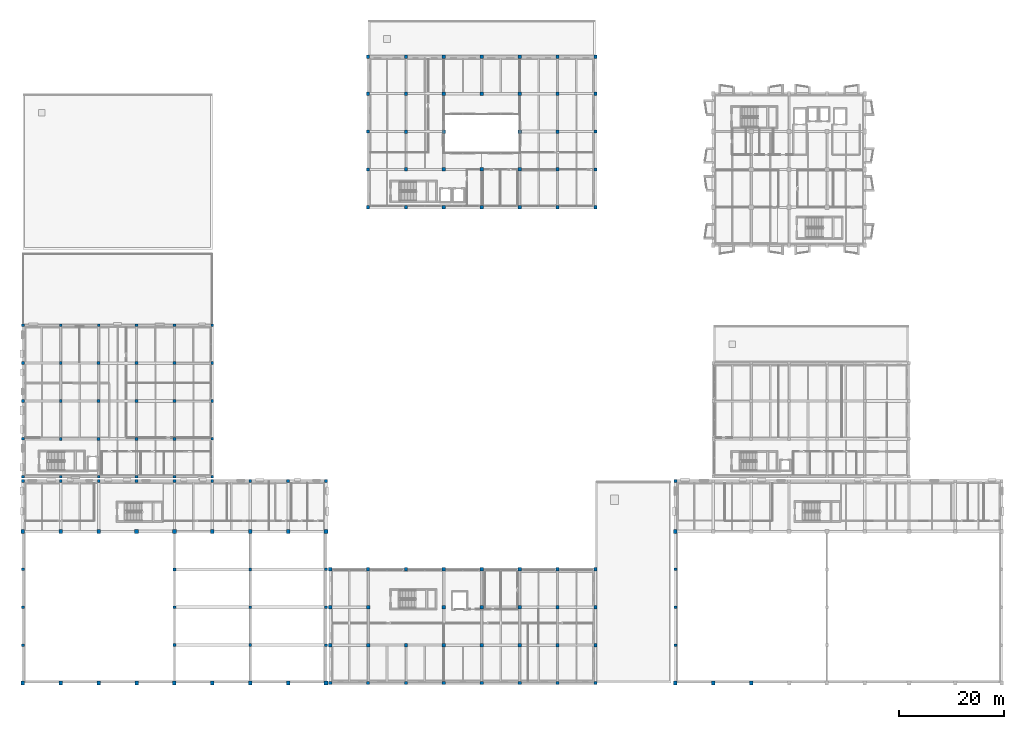
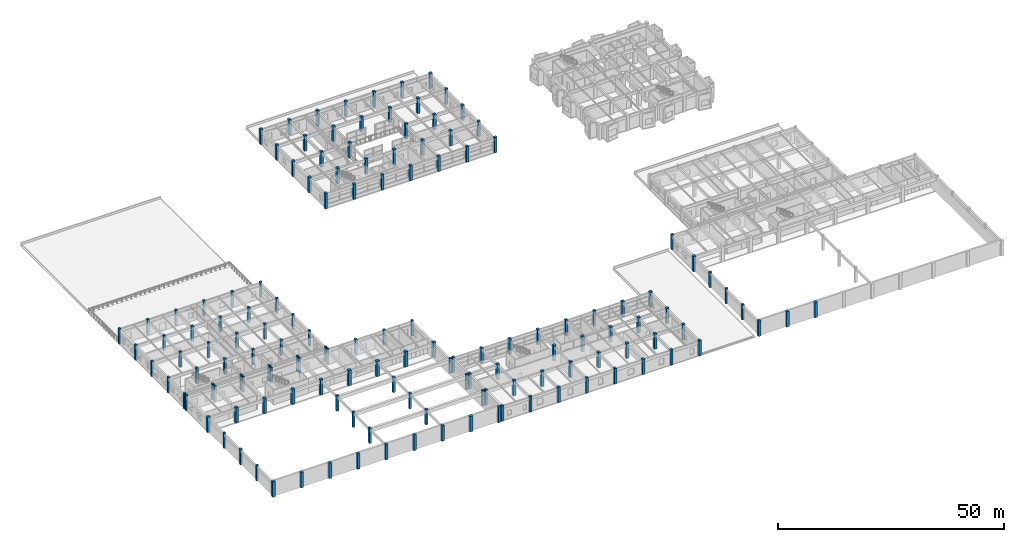
# One storey, part 1 of 67: 142 columns.
"""IFC4 building model written with IfcOpenShell, lengths in metres."""

from ifc_helpers import new_model, si_unit, direction, frame, origin, origin_2d, place, context, subcontext, project, spatial, rectangle, extrude, material, material_profile, profile_set, type_object, element, save


model = new_model("IFC4")

# Units and contexts
model_context = context("Model", 3, precision=1e-05, world=origin(), true_north=direction((0.0, 1.0)))
body_context = subcontext(model_context, "Body", "Model", "MODEL_VIEW")
ifc_project = project(units=[si_unit("LENGTHUNIT", "METRE"), si_unit("AREAUNIT", "SQUARE_METRE"), si_unit("VOLUMEUNIT", "CUBIC_METRE"), si_unit("PLANEANGLEUNIT", "RADIAN"), si_unit("MASSUNIT", "GRAM", prefix="KILO")], contexts=[model_context])

# Site, building, storey
site_placement = place(None, origin())
site = spatial("IfcSite", under=ifc_project, at=site_placement, CompositionType="ELEMENT")
building_placement = place(site_placement, origin())
building = spatial("IfcBuilding", under=site, at=building_placement, Name="Bramveld Media Centre", CompositionType="ELEMENT")
storey_placement = place(building_placement, frame((0.0, 0.0, 5.39990234375)))
storey = spatial("IfcBuildingStorey", under=building, at=storey_placement, Name="L01", CompositionType="ELEMENT", Elevation=5.39990234375)

# Columns
ifc_material_1 = material(Name="Concrete C40/50", Category="concrete")
ifc_material_profile_1 = material_profile(ifc_material_1, rectangle(XDim=0.52001953125, YDim=0.52001953125, at=origin_2d()), Name="RC 520x520")
ifc_profile_set_1 = profile_set([ifc_material_profile_1], Name="Concrete C40/50")
column_type_1 = type_object("IfcColumnType", Name="COL-EXT-RC-520x520", PredefinedType="COLUMN", material=ifc_profile_set_1)
for number, where, z_axis, x_axis, name in (
    (1, (124.0, 7.199951171875, 0.0), (0.0, 0.0, 1.0), (1.0, 0.0, 0.0), "V1 L01 column RC 520x520"),
    (2, (124.0, 14.39990234375, 0.0), (0.0, 0.0, 1.0), (1.0, 0.0, 0.0), "V1 L01 column RC 520x520"),
    (3, (124.0, 21.60009765625, 0.0), (0.0, 0.0, 1.0), (1.0, 0.0, 0.0), "V1 L01 column RC 520x520"),
    (4, (124.0, 38.39990234375, 0.0), (0.0, 0.0, 1.0), (1.0, 0.0, 0.0), "V1 L01 column RC 520x520"),
    (5, (0.0, 7.199951171875, 0.0), (0.0, 0.0, 1.0), (1.0, 0.0, 0.0), "V2 L01 column RC 520x520"),
    (6, (0.0, 14.39990234375, 0.0), (0.0, 0.0, 1.0), (1.0, 0.0, 0.0), "V2 L01 column RC 520x520"),
    (7, (0.0, 21.60009765625, 0.0), (0.0, 0.0, 1.0), (1.0, 0.0, 0.0), "V2 L01 column RC 520x520"),
    (8, (0.0, 38.39990234375, 0.0), (0.0, 0.0, 1.0), (1.0, 0.0, 0.0), "V2 L01 column RC 520x520"),
    (9, (7.199951171875, 38.39990234375, 0.0), (0.0, 0.0, 1.0), (1.0, 0.0, 0.0), "V2 L01 column RC 520x520"),
    (10, (14.39990234375, 38.39990234375, 0.0), (0.0, 0.0, 1.0), (1.0, 0.0, 0.0), "V2 L01 column RC 520x520"),
    (11, (21.60009765625, 38.39990234375, 0.0), (0.0, 0.0, 1.0), (1.0, 0.0, 0.0), "V2 L01 column RC 520x520"),
    (12, (28.800048828125, 38.39990234375, 0.0), (0.0, 0.0, 1.0), (1.0, 0.0, 0.0), "V2 L01 column RC 520x520"),
    (13, (36.0, 38.39990234375, 0.0), (0.0, 0.0, 1.0), (1.0, 0.0, 0.0), "V2 L01 column RC 520x520"),
    (14, (43.199951171875, 38.39990234375, 0.0), (0.0, 0.0, 1.0), (1.0, 0.0, 0.0), "V2 L01 column RC 520x520"),
    (15, (50.39990234375, 38.39990234375, 0.0), (0.0, 0.0, 1.0), (1.0, 0.0, 0.0), "V2 L01 column RC 520x520"),
    (16, (57.60009765625, 7.199951171875, 0.0), (0.0, 0.0, 1.0), (1.0, 0.0, 0.0), "V2 L01 column RC 520x520"),
    (17, (57.60009765625, 14.39990234375, 0.0), (0.0, 0.0, 1.0), (1.0, 0.0, 0.0), "V2 L01 column RC 520x520"),
    (18, (57.60009765625, 21.60009765625, 0.0), (0.0, 0.0, 1.0), (1.0, 0.0, 0.0), "V2 L01 column RC 520x520"),
    (19, (57.60009765625, 38.39990234375, 0.0), (0.0, 0.0, 1.0), (1.0, 0.0, 0.0), "V2 L01 column RC 520x520"),
    (20, (0.0, 39.199951171875, 0.0), (0.0, 0.0, 1.0), (1.0, 0.0, 0.0), "V3 L01 column RC 520x520"),
    (21, (0.0, 46.39990234375, 0.0), (0.0, 0.0, 1.0), (1.0, 0.0, 0.0), "V3 L01 column RC 520x520"),
    (22, (0.0, 53.60009765625, 0.0), (0.0, 0.0, 1.0), (1.0, 0.0, 0.0), "V3 L01 column RC 520x520"),
    (23, (0.0, 60.800048828125, 0.0), (0.0, 0.0, 1.0), (1.0, 0.0, 0.0), "V3 L01 column RC 520x520"),
    (24, (0.0, 68.0, 0.0), (0.0, 0.0, 1.0), (1.0, 0.0, 0.0), "V3 L01 column RC 520x520"),
    (25, (7.199951171875, 39.199951171875, 0.0), (0.0, 0.0, 1.0), (1.0, 0.0, 0.0), "V3 L01 column RC 520x520"),
    (26, (7.199951171875, 68.0, 0.0), (0.0, 0.0, 1.0), (1.0, 0.0, 0.0), "V3 L01 column RC 520x520"),
    (27, (14.39990234375, 39.199951171875, 0.0), (0.0, 0.0, 1.0), (1.0, 0.0, 0.0), "V3 L01 column RC 520x520"),
    (28, (14.39990234375, 68.0, 0.0), (0.0, 0.0, 1.0), (1.0, 0.0, 0.0), "V3 L01 column RC 520x520"),
    (29, (21.60009765625, 39.199951171875, 0.0), (0.0, 0.0, 1.0), (1.0, 0.0, 0.0), "V3 L01 column RC 520x520"),
    (30, (21.60009765625, 68.0, 0.0), (0.0, 0.0, 1.0), (1.0, 0.0, 0.0), "V3 L01 column RC 520x520"),
    (31, (28.800048828125, 39.199951171875, 0.0), (0.0, 0.0, 1.0), (1.0, 0.0, 0.0), "V3 L01 column RC 520x520"),
    (32, (28.800048828125, 68.0, 0.0), (0.0, 0.0, 1.0), (1.0, 0.0, 0.0), "V3 L01 column RC 520x520"),
    (33, (36.0, 39.199951171875, 0.0), (0.0, 0.0, 1.0), (1.0, 0.0, 0.0), "V3 L01 column RC 520x520"),
    (34, (36.0, 46.39990234375, 0.0), (0.0, 0.0, 1.0), (1.0, 0.0, 0.0), "V3 L01 column RC 520x520"),
    (35, (36.0, 53.60009765625, 0.0), (0.0, 0.0, 1.0), (1.0, 0.0, 0.0), "V3 L01 column RC 520x520"),
    (36, (36.0, 60.800048828125, 0.0), (0.0, 0.0, 1.0), (1.0, 0.0, 0.0), "V3 L01 column RC 520x520"),
    (37, (36.0, 68.0, 0.0), (0.0, 0.0, 1.0), (1.0, 0.0, 0.0), "V3 L01 column RC 520x520"),
):
    element("IfcColumn", number, at=place(storey_placement, frame(where, z_axis=z_axis, x_axis=x_axis)), inside=storey, type_object=column_type_1, Name=name, PredefinedType="COLUMN", context=body_context, shape_type="SweptSolid", body=[
        extrude(rectangle(XDim=0.52001953125, YDim=0.52001953125, at=origin_2d()), origin(), (0.0, 0.0, 1.0), 4.2001953125),
    ])
ifc_material_2 = material(Name="Concrete C40/50", Category="concrete")
ifc_material_profile_2 = material_profile(ifc_material_2, rectangle(XDim=0.6201171875, YDim=0.6201171875, at=origin_2d()), Name="RC 620x620")
ifc_profile_set_2 = profile_set([ifc_material_profile_2], Name="Concrete C40/50")
column_type_2 = type_object("IfcColumnType", Name="COL-EXT-RC-620x620", PredefinedType="COLUMN", material=ifc_profile_set_2)
for number, where, z_axis, x_axis, name in (
    (38, (58.39990234375, 0.0, 0.0), (0.0, 0.0, 1.0), (1.0, 0.0, 0.0), "V5 L01 column RC 620x620"),
    (39, (58.39990234375, 7.199951171875, 0.0), (0.0, 0.0, 1.0), (1.0, 0.0, 0.0), "V5 L01 column RC 620x620"),
    (40, (58.39990234375, 14.39990234375, 0.0), (0.0, 0.0, 1.0), (1.0, 0.0, 0.0), "V5 L01 column RC 620x620"),
    (41, (58.39990234375, 21.60009765625, 0.0), (0.0, 0.0, 1.0), (1.0, 0.0, 0.0), "V5 L01 column RC 620x620"),
    (42, (65.60009765625, 0.0, 0.0), (0.0, 0.0, 1.0), (1.0, 0.0, 0.0), "V5 L01 column RC 620x620"),
    (43, (65.60009765625, 21.60009765625, 0.0), (0.0, 0.0, 1.0), (1.0, 0.0, 0.0), "V5 L01 column RC 620x620"),
    (44, (72.800048828125, 0.0, 0.0), (0.0, 0.0, 1.0), (1.0, 0.0, 0.0), "V5 L01 column RC 620x620"),
    (45, (72.800048828125, 21.60009765625, 0.0), (0.0, 0.0, 1.0), (1.0, 0.0, 0.0), "V5 L01 column RC 620x620"),
    (46, (80.0, 0.0, 0.0), (0.0, 0.0, 1.0), (1.0, 0.0, 0.0), "V5 L01 column RC 620x620"),
    (47, (80.0, 21.60009765625, 0.0), (0.0, 0.0, 1.0), (1.0, 0.0, 0.0), "V5 L01 column RC 620x620"),
    (48, (87.199951171875, 0.0, 0.0), (0.0, 0.0, 1.0), (1.0, 0.0, 0.0), "V5 L01 column RC 620x620"),
    (49, (87.199951171875, 21.60009765625, 0.0), (0.0, 0.0, 1.0), (1.0, 0.0, 0.0), "V5 L01 column RC 620x620"),
    (50, (94.39990234375, 0.0, 0.0), (0.0, 0.0, 1.0), (1.0, 0.0, 0.0), "V5 L01 column RC 620x620"),
    (51, (94.39990234375, 21.60009765625, 0.0), (0.0, 0.0, 1.0), (1.0, 0.0, 0.0), "V5 L01 column RC 620x620"),
    (52, (101.60009765625, 0.0, 0.0), (0.0, 0.0, 1.0), (1.0, 0.0, 0.0), "V5 L01 column RC 620x620"),
    (53, (101.60009765625, 21.60009765625, 0.0), (0.0, 0.0, 1.0), (1.0, 0.0, 0.0), "V5 L01 column RC 620x620"),
    (54, (108.800048828125, 0.0, 0.0), (0.0, 0.0, 1.0), (1.0, 0.0, 0.0), "V5 L01 column RC 620x620"),
    (55, (108.800048828125, 7.199951171875, 0.0), (0.0, 0.0, 1.0), (1.0, 0.0, 0.0), "V5 L01 column RC 620x620"),
    (56, (108.800048828125, 14.39990234375, 0.0), (0.0, 0.0, 1.0), (1.0, 0.0, 0.0), "V5 L01 column RC 620x620"),
    (57, (108.800048828125, 21.60009765625, 0.0), (0.0, 0.0, 1.0), (1.0, 0.0, 0.0), "V5 L01 column RC 620x620"),
    (58, (65.60009765625, 90.39990234375, 0.0), (0.0, 0.0, 1.0), (1.0, 0.0, 0.0), "V6 L01 column RC 620x620"),
    (59, (65.60009765625, 97.60009765625, 0.0), (0.0, 0.0, 1.0), (1.0, 0.0, 0.0), "V6 L01 column RC 620x620"),
    (60, (65.60009765625, 104.800048828125, 0.0), (0.0, 0.0, 1.0), (1.0, 0.0, 0.0), "V6 L01 column RC 620x620"),
    (61, (65.60009765625, 112.0, 0.0), (0.0, 0.0, 1.0), (1.0, 0.0, 0.0), "V6 L01 column RC 620x620"),
    (62, (65.60009765625, 119.0, 0.0), (0.0, 0.0, 1.0), (1.0, 0.0, 0.0), "V6 L01 column RC 620x620"),
    (63, (72.800048828125, 90.39990234375, 0.0), (0.0, 0.0, 1.0), (1.0, 0.0, 0.0), "V6 L01 column RC 620x620"),
    (64, (72.800048828125, 119.0, 0.0), (0.0, 0.0, 1.0), (1.0, 0.0, 0.0), "V6 L01 column RC 620x620"),
    (65, (80.0, 90.39990234375, 0.0), (0.0, 0.0, 1.0), (1.0, 0.0, 0.0), "V6 L01 column RC 620x620"),
    (66, (80.0, 119.0, 0.0), (0.0, 0.0, 1.0), (1.0, 0.0, 0.0), "V6 L01 column RC 620x620"),
    (67, (87.199951171875, 90.39990234375, 0.0), (0.0, 0.0, 1.0), (1.0, 0.0, 0.0), "V6 L01 column RC 620x620"),
    (68, (87.199951171875, 119.0, 0.0), (0.0, 0.0, 1.0), (1.0, 0.0, 0.0), "V6 L01 column RC 620x620"),
    (69, (94.39990234375, 90.39990234375, 0.0), (0.0, 0.0, 1.0), (1.0, 0.0, 0.0), "V6 L01 column RC 620x620"),
    (70, (94.39990234375, 119.0, 0.0), (0.0, 0.0, 1.0), (1.0, 0.0, 0.0), "V6 L01 column RC 620x620"),
    (71, (101.60009765625, 90.39990234375, 0.0), (0.0, 0.0, 1.0), (1.0, 0.0, 0.0), "V6 L01 column RC 620x620"),
    (72, (101.60009765625, 119.0, 0.0), (0.0, 0.0, 1.0), (1.0, 0.0, 0.0), "V6 L01 column RC 620x620"),
    (73, (108.800048828125, 90.39990234375, 0.0), (0.0, 0.0, 1.0), (1.0, 0.0, 0.0), "V6 L01 column RC 620x620"),
    (74, (108.800048828125, 97.60009765625, 0.0), (0.0, 0.0, 1.0), (1.0, 0.0, 0.0), "V6 L01 column RC 620x620"),
    (75, (108.800048828125, 104.800048828125, 0.0), (0.0, 0.0, 1.0), (1.0, 0.0, 0.0), "V6 L01 column RC 620x620"),
    (76, (108.800048828125, 112.0, 0.0), (0.0, 0.0, 1.0), (1.0, 0.0, 0.0), "V6 L01 column RC 620x620"),
    (77, (108.800048828125, 119.0, 0.0), (0.0, 0.0, 1.0), (1.0, 0.0, 0.0), "V6 L01 column RC 620x620"),
):
    element("IfcColumn", number, at=place(storey_placement, frame(where, z_axis=z_axis, x_axis=x_axis)), inside=storey, type_object=column_type_2, Name=name, PredefinedType="COLUMN", context=body_context, shape_type="SweptSolid", body=[
        extrude(rectangle(XDim=0.6201171875, YDim=0.6201171875, at=origin_2d()), origin(), (0.0, 0.0, 1.0), 4.2001953125),
    ])
ifc_material_3 = material(Name="Concrete C40/50", Category="concrete")
ifc_material_profile_3 = material_profile(ifc_material_3, rectangle(XDim=0.679931640625, YDim=0.679931640625, at=origin_2d()), Name="RC 680x680")
ifc_profile_set_3 = profile_set([ifc_material_profile_3], Name="Concrete C40/50")
column_type_3 = type_object("IfcColumnType", Name="COL-EXT-RC-680x680", PredefinedType="COLUMN", material=ifc_profile_set_3)
for number, where, z_axis, x_axis, name in (
    (78, (124.0, 0.0, 0.0), (0.0, 0.0, 1.0), (1.0, 0.0, 0.0), "V1 L01 column RC 680x680"),
    (79, (124.0, 28.800048828125, 0.0), (0.0, 0.0, 1.0), (1.0, 0.0, 0.0), "V1 L01 column RC 680x680"),
    (80, (131.199951171875, 0.0, 0.0), (0.0, 0.0, 1.0), (1.0, 0.0, 0.0), "V1 L01 column RC 680x680"),
    (81, (138.39990234375, 0.0, 0.0), (0.0, 0.0, 1.0), (1.0, 0.0, 0.0), "V1 L01 column RC 680x680"),
    (82, (0.0, 0.0, 0.0), (0.0, 0.0, 1.0), (1.0, 0.0, 0.0), "V2 L01 column RC 680x680"),
    (83, (0.0, 28.800048828125, 0.0), (0.0, 0.0, 1.0), (1.0, 0.0, 0.0), "V2 L01 column RC 680x680"),
    (84, (7.199951171875, 0.0, 0.0), (0.0, 0.0, 1.0), (1.0, 0.0, 0.0), "V2 L01 column RC 680x680"),
    (85, (14.39990234375, 0.0, 0.0), (0.0, 0.0, 1.0), (1.0, 0.0, 0.0), "V2 L01 column RC 680x680"),
    (86, (21.60009765625, 0.0, 0.0), (0.0, 0.0, 1.0), (1.0, 0.0, 0.0), "V2 L01 column RC 680x680"),
    (87, (28.800048828125, 0.0, 0.0), (0.0, 0.0, 1.0), (1.0, 0.0, 0.0), "V2 L01 column RC 680x680"),
    (88, (36.0, 0.0, 0.0), (0.0, 0.0, 1.0), (1.0, 0.0, 0.0), "V2 L01 column RC 680x680"),
    (89, (43.199951171875, 0.0, 0.0), (0.0, 0.0, 1.0), (1.0, 0.0, 0.0), "V2 L01 column RC 680x680"),
    (90, (50.39990234375, 0.0, 0.0), (0.0, 0.0, 1.0), (1.0, 0.0, 0.0), "V2 L01 column RC 680x680"),
    (91, (57.60009765625, 0.0, 0.0), (0.0, 0.0, 1.0), (1.0, 0.0, 0.0), "V2 L01 column RC 680x680"),
    (92, (57.60009765625, 28.800048828125, 0.0), (0.0, 0.0, 1.0), (1.0, 0.0, 0.0), "V2 L01 column RC 680x680"),
):
    element("IfcColumn", number, at=place(storey_placement, frame(where, z_axis=z_axis, x_axis=x_axis)), inside=storey, type_object=column_type_3, Name=name, PredefinedType="COLUMN", context=body_context, shape_type="SweptSolid", body=[
        extrude(rectangle(XDim=0.679931640625, YDim=0.679931640625, at=origin_2d()), origin(), (0.0, 0.0, 1.0), 4.2001953125),
    ])
ifc_material_4 = material(Name="Concrete C40/50", Category="concrete")
ifc_material_profile_4 = material_profile(ifc_material_4, rectangle(XDim=0.550048828125, YDim=0.550048828125, at=origin_2d()), Name="RC 550x550")
ifc_profile_set_4 = profile_set([ifc_material_profile_4], Name="Concrete C40/50")
column_type_4 = type_object("IfcColumnType", Name="COL-INT-RC-550x550", PredefinedType="COLUMN", material=ifc_profile_set_4)
for number, where, z_axis, x_axis, name in (
    (93, (28.800048828125, 7.199951171875, 0.0), (0.0, 0.0, 1.0), (1.0, 0.0, 0.0), "V2 L01 column RC 550x550"),
    (94, (28.800048828125, 14.39990234375, 0.0), (0.0, 0.0, 1.0), (1.0, 0.0, 0.0), "V2 L01 column RC 550x550"),
    (95, (28.800048828125, 21.60009765625, 0.0), (0.0, 0.0, 1.0), (1.0, 0.0, 0.0), "V2 L01 column RC 550x550"),
    (96, (43.199951171875, 7.199951171875, 0.0), (0.0, 0.0, 1.0), (1.0, 0.0, 0.0), "V2 L01 column RC 550x550"),
    (97, (43.199951171875, 14.39990234375, 0.0), (0.0, 0.0, 1.0), (1.0, 0.0, 0.0), "V2 L01 column RC 550x550"),
    (98, (43.199951171875, 21.60009765625, 0.0), (0.0, 0.0, 1.0), (1.0, 0.0, 0.0), "V2 L01 column RC 550x550"),
    (99, (7.199951171875, 46.39990234375, 0.0), (0.0, 0.0, 1.0), (1.0, 0.0, 0.0), "V3 L01 column RC 550x550"),
    (100, (7.199951171875, 53.60009765625, 0.0), (0.0, 0.0, 1.0), (1.0, 0.0, 0.0), "V3 L01 column RC 550x550"),
    (101, (7.199951171875, 60.800048828125, 0.0), (0.0, 0.0, 1.0), (1.0, 0.0, 0.0), "V3 L01 column RC 550x550"),
    (102, (14.39990234375, 46.39990234375, 0.0), (0.0, 0.0, 1.0), (1.0, 0.0, 0.0), "V3 L01 column RC 550x550"),
    (103, (14.39990234375, 53.60009765625, 0.0), (0.0, 0.0, 1.0), (1.0, 0.0, 0.0), "V3 L01 column RC 550x550"),
    (104, (14.39990234375, 60.800048828125, 0.0), (0.0, 0.0, 1.0), (1.0, 0.0, 0.0), "V3 L01 column RC 550x550"),
    (105, (21.60009765625, 46.39990234375, 0.0), (0.0, 0.0, 1.0), (1.0, 0.0, 0.0), "V3 L01 column RC 550x550"),
    (106, (21.60009765625, 53.60009765625, 0.0), (0.0, 0.0, 1.0), (1.0, 0.0, 0.0), "V3 L01 column RC 550x550"),
    (107, (21.60009765625, 60.800048828125, 0.0), (0.0, 0.0, 1.0), (1.0, 0.0, 0.0), "V3 L01 column RC 550x550"),
    (108, (28.800048828125, 46.39990234375, 0.0), (0.0, 0.0, 1.0), (1.0, 0.0, 0.0), "V3 L01 column RC 550x550"),
    (109, (28.800048828125, 53.60009765625, 0.0), (0.0, 0.0, 1.0), (1.0, 0.0, 0.0), "V3 L01 column RC 550x550"),
    (110, (28.800048828125, 60.800048828125, 0.0), (0.0, 0.0, 1.0), (1.0, 0.0, 0.0), "V3 L01 column RC 550x550"),
):
    element("IfcColumn", number, at=place(storey_placement, frame(where, z_axis=z_axis, x_axis=x_axis)), inside=storey, type_object=column_type_4, Name=name, PredefinedType="COLUMN", context=body_context, shape_type="SweptSolid", body=[
        extrude(rectangle(XDim=0.550048828125, YDim=0.550048828125, at=origin_2d()), origin(), (0.0, 0.0, 1.0), 4.2001953125),
    ])
ifc_material_5 = material(Name="Concrete C40/50", Category="concrete")
ifc_material_profile_5 = material_profile(ifc_material_5, rectangle(XDim=0.64990234375, YDim=0.64990234375, at=origin_2d()), Name="RC 650x650")
ifc_profile_set_5 = profile_set([ifc_material_profile_5], Name="Concrete C40/50")
column_type_5 = type_object("IfcColumnType", Name="COL-INT-RC-650x650", PredefinedType="COLUMN", material=ifc_profile_set_5)
for number, where, z_axis, x_axis, name in (
    (111, (65.60009765625, 7.199951171875, 0.0), (0.0, 0.0, 1.0), (1.0, 0.0, 0.0), "V5 L01 column RC 650x650"),
    (112, (65.60009765625, 14.39990234375, 0.0), (0.0, 0.0, 1.0), (1.0, 0.0, 0.0), "V5 L01 column RC 650x650"),
    (113, (72.800048828125, 7.199951171875, 0.0), (0.0, 0.0, 1.0), (1.0, 0.0, 0.0), "V5 L01 column RC 650x650"),
    (114, (80.0, 7.199951171875, 0.0), (0.0, 0.0, 1.0), (1.0, 0.0, 0.0), "V5 L01 column RC 650x650"),
    (115, (80.0, 14.39990234375, 0.0), (0.0, 0.0, 1.0), (1.0, 0.0, 0.0), "V5 L01 column RC 650x650"),
    (116, (87.199951171875, 7.199951171875, 0.0), (0.0, 0.0, 1.0), (1.0, 0.0, 0.0), "V5 L01 column RC 650x650"),
    (117, (87.199951171875, 14.39990234375, 0.0), (0.0, 0.0, 1.0), (1.0, 0.0, 0.0), "V5 L01 column RC 650x650"),
    (118, (94.39990234375, 7.199951171875, 0.0), (0.0, 0.0, 1.0), (1.0, 0.0, 0.0), "V5 L01 column RC 650x650"),
    (119, (94.39990234375, 14.39990234375, 0.0), (0.0, 0.0, 1.0), (1.0, 0.0, 0.0), "V5 L01 column RC 650x650"),
    (120, (101.60009765625, 7.199951171875, 0.0), (0.0, 0.0, 1.0), (1.0, 0.0, 0.0), "V5 L01 column RC 650x650"),
    (121, (101.60009765625, 14.39990234375, 0.0), (0.0, 0.0, 1.0), (1.0, 0.0, 0.0), "V5 L01 column RC 650x650"),
    (122, (72.800048828125, 97.60009765625, 0.0), (0.0, 0.0, 1.0), (1.0, 0.0, 0.0), "V6 L01 column RC 650x650"),
    (123, (72.800048828125, 104.800048828125, 0.0), (0.0, 0.0, 1.0), (1.0, 0.0, 0.0), "V6 L01 column RC 650x650"),
    (124, (72.800048828125, 112.0, 0.0), (0.0, 0.0, 1.0), (1.0, 0.0, 0.0), "V6 L01 column RC 650x650"),
    (125, (80.0, 97.60009765625, 0.0), (0.0, 0.0, 1.0), (1.0, 0.0, 0.0), "V6 L01 column RC 650x650"),
    (126, (80.0, 104.800048828125, 0.0), (0.0, 0.0, 1.0), (1.0, 0.0, 0.0), "V6 L01 column RC 650x650"),
    (127, (80.0, 112.0, 0.0), (0.0, 0.0, 1.0), (1.0, 0.0, 0.0), "V6 L01 column RC 650x650"),
    (128, (87.199951171875, 97.60009765625, 0.0), (0.0, 0.0, 1.0), (1.0, 0.0, 0.0), "V6 L01 column RC 650x650"),
    (129, (87.199951171875, 112.0, 0.0), (0.0, 0.0, 1.0), (1.0, 0.0, 0.0), "V6 L01 column RC 650x650"),
    (130, (94.39990234375, 97.60009765625, 0.0), (0.0, 0.0, 1.0), (1.0, 0.0, 0.0), "V6 L01 column RC 650x650"),
    (131, (94.39990234375, 104.800048828125, 0.0), (0.0, 0.0, 1.0), (1.0, 0.0, 0.0), "V6 L01 column RC 650x650"),
    (132, (94.39990234375, 112.0, 0.0), (0.0, 0.0, 1.0), (1.0, 0.0, 0.0), "V6 L01 column RC 650x650"),
    (133, (101.60009765625, 97.60009765625, 0.0), (0.0, 0.0, 1.0), (1.0, 0.0, 0.0), "V6 L01 column RC 650x650"),
    (134, (101.60009765625, 104.800048828125, 0.0), (0.0, 0.0, 1.0), (1.0, 0.0, 0.0), "V6 L01 column RC 650x650"),
    (135, (101.60009765625, 112.0, 0.0), (0.0, 0.0, 1.0), (1.0, 0.0, 0.0), "V6 L01 column RC 650x650"),
):
    element("IfcColumn", number, at=place(storey_placement, frame(where, z_axis=z_axis, x_axis=x_axis)), inside=storey, type_object=column_type_5, Name=name, PredefinedType="COLUMN", context=body_context, shape_type="SweptSolid", body=[
        extrude(rectangle(XDim=0.64990234375, YDim=0.64990234375, at=origin_2d()), origin(), (0.0, 0.0, 1.0), 4.2001953125),
    ])
ifc_material_6 = material(Name="Concrete C40/50", Category="concrete")
ifc_material_profile_6 = material_profile(ifc_material_6, rectangle(XDim=0.699951171875, YDim=0.699951171875, at=origin_2d()), Name="RC 700x700")
ifc_profile_set_6 = profile_set([ifc_material_profile_6], Name="Concrete C40/50")
column_type_6 = type_object("IfcColumnType", Name="COL-INT-RC-700x700", PredefinedType="COLUMN", material=ifc_profile_set_6)
for number, where, z_axis, x_axis, name in (
    (136, (7.199951171875, 28.800048828125, 0.0), (0.0, 0.0, 1.0), (1.0, 0.0, 0.0), "V2 L01 column RC 700x700"),
    (137, (14.39990234375, 28.800048828125, 0.0), (0.0, 0.0, 1.0), (1.0, 0.0, 0.0), "V2 L01 column RC 700x700"),
    (138, (21.60009765625, 28.800048828125, 0.0), (0.0, 0.0, 1.0), (1.0, 0.0, 0.0), "V2 L01 column RC 700x700"),
    (139, (28.800048828125, 28.800048828125, 0.0), (0.0, 0.0, 1.0), (1.0, 0.0, 0.0), "V2 L01 column RC 700x700"),
    (140, (36.0, 28.800048828125, 0.0), (0.0, 0.0, 1.0), (1.0, 0.0, 0.0), "V2 L01 column RC 700x700"),
    (141, (43.199951171875, 28.800048828125, 0.0), (0.0, 0.0, 1.0), (1.0, 0.0, 0.0), "V2 L01 column RC 700x700"),
    (142, (50.39990234375, 28.800048828125, 0.0), (0.0, 0.0, 1.0), (1.0, 0.0, 0.0), "V2 L01 column RC 700x700"),
):
    element("IfcColumn", number, at=place(storey_placement, frame(where, z_axis=z_axis, x_axis=x_axis)), inside=storey, type_object=column_type_6, Name=name, PredefinedType="COLUMN", context=body_context, shape_type="SweptSolid", body=[
        extrude(rectangle(XDim=0.699951171875, YDim=0.699951171875, at=origin_2d()), origin(), (0.0, 0.0, 1.0), 4.2001953125),
    ])

save(model, "model.ifc")
